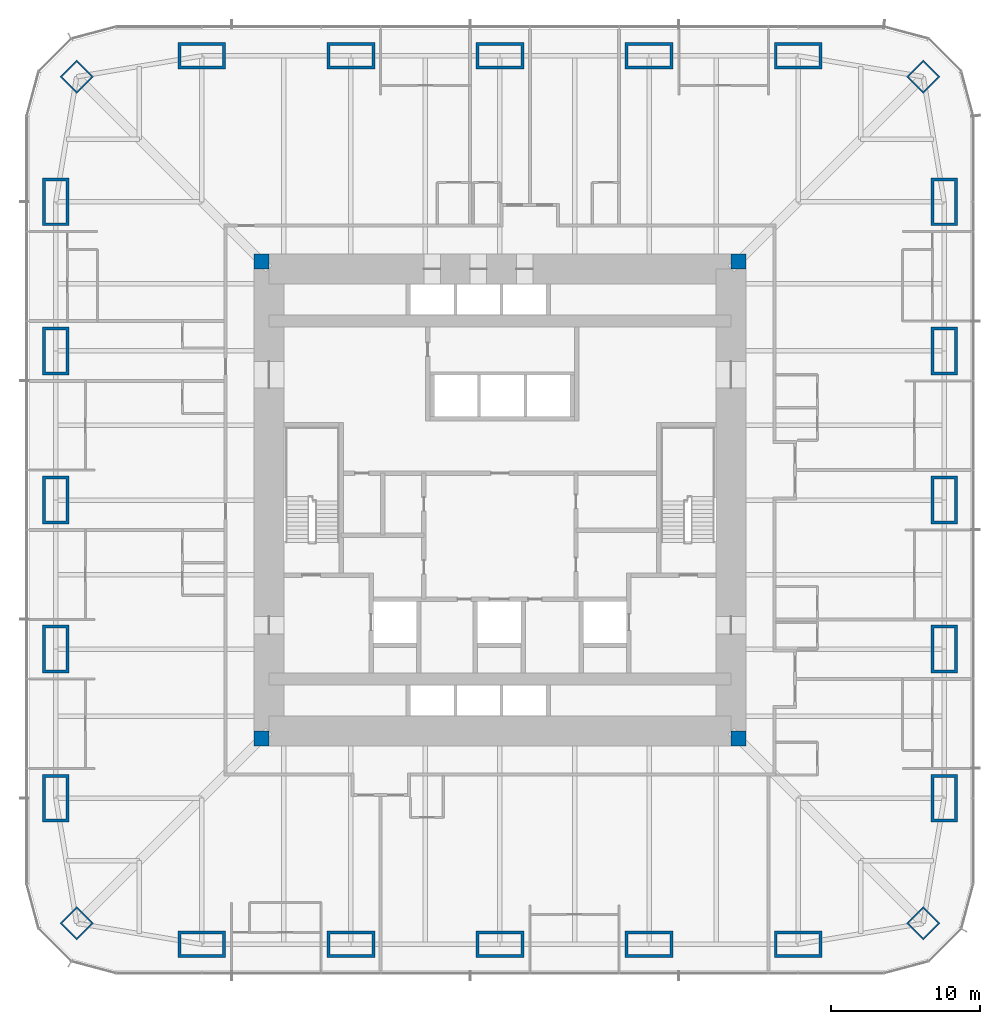
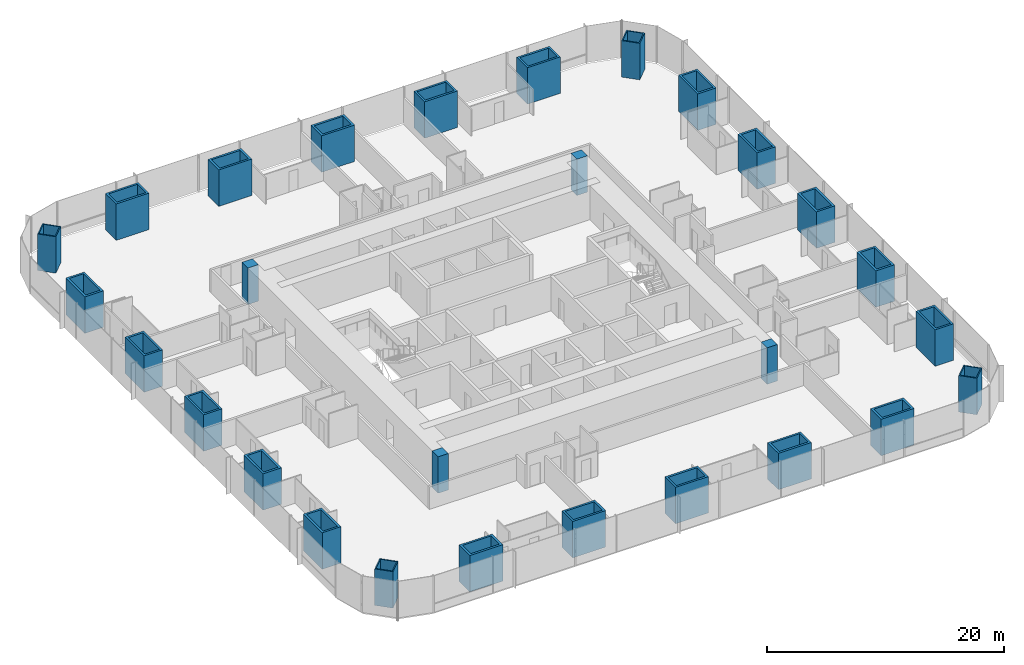
# One storey, part 1 of 17: 28 columns.
"""IFC4 building model written with IfcOpenShell, lengths in metres."""

from ifc_helpers import new_model, si_unit, direction, frame, origin, origin_2d, place, context, subcontext, project, spatial, rectangle, hollow_rectangle, extrude, material, material_profile, profile_set, type_object, element, save


model = new_model("IFC4")

# Units and contexts
model_context = context("Model", 3, precision=1e-05, world=origin(), true_north=direction((0.0, 1.0)))
body_context = subcontext(model_context, "Body", "Model", "MODEL_VIEW")
ifc_project = project(units=[si_unit("LENGTHUNIT", "METRE"), si_unit("AREAUNIT", "SQUARE_METRE"), si_unit("VOLUMEUNIT", "CUBIC_METRE"), si_unit("PLANEANGLEUNIT", "RADIAN"), si_unit("MASSUNIT", "GRAM", prefix="KILO")], contexts=[model_context])

# Site, building, storey
site_placement = place(None, origin())
site = spatial("IfcSite", under=ifc_project, at=site_placement, CompositionType="ELEMENT")
building_placement = place(site_placement, origin())
building = spatial("IfcBuilding", under=site, at=building_placement, Name="Khuree Lantern Residences", CompositionType="ELEMENT")
storey_placement = place(building_placement, frame((0.0, 0.0, 43.5)))
storey = spatial("IfcBuildingStorey", under=building, at=storey_placement, Name="L10", CompositionType="ELEMENT", Elevation=43.5)

# Columns
ifc_material_1 = material(Name="Steel S355 CFT welded box", Category="steel")
ifc_material_profile_1 = material_profile(ifc_material_1, hollow_rectangle(XDim=1.60009765625, YDim=1.60009765625, WallThickness=0.10009765625, at=origin_2d()), Name="WELDED BOX 1600X1600X100")
ifc_profile_set_1 = profile_set([ifc_material_profile_1], Name="Steel S355 CFT welded box")
column_type_1 = type_object("IfcColumnType", Name="CC1600 PERIMETER CORNER MEGA COLUMN WELDED BOX 1600X1600X100", PredefinedType="COLUMN", material=ifc_profile_set_1)
for number, where, z_axis, x_axis, name in (
    (1, (28.39404296875, 28.39404296875, 0.0), (0.0, 0.0, 1.0), (0.707106781187, -0.707106781187, 0.0), "Perimeter column NE"),
    (2, (28.39404296875, -28.39404296875, 0.0), (0.0, 0.0, 1.0), (0.707106781187, 0.707106781187, 0.0), "Perimeter column SE"),
    (3, (-28.39404296875, -28.39404296875, 0.0), (0.0, 0.0, 1.0), (0.707106781187, -0.707106781187, 0.0), "Perimeter column SW"),
    (4, (-28.39404296875, 28.39404296875, 0.0), (0.0, 0.0, 1.0), (0.707106781187, 0.707106781187, 0.0), "Perimeter column NW"),
):
    element("IfcColumn", number, at=place(storey_placement, frame(where, z_axis=z_axis, x_axis=x_axis)), inside=storey, type_object=column_type_1, Name=name, PredefinedType="COLUMN", context=body_context, shape_type="SweptSolid", body=[
        extrude(hollow_rectangle(XDim=1.60009765625, YDim=1.60009765625, WallThickness=0.10009765625, at=origin_2d()), origin(), (0.0, 0.0, 1.0), 3.75),
    ])
ifc_material_2 = material(Name="Concrete C70/85", Category="concrete")
ifc_material_profile_2 = material_profile(ifc_material_2, rectangle(XDim=1.0, YDim=1.0, at=origin_2d()), Name="RC 1000X1000")
ifc_profile_set_2 = profile_set([ifc_material_profile_2], Name="Concrete C70/85")
column_type_2 = type_object("IfcColumnType", Name="CP1000-C70 CORE CORNER PIER C70 RC 1000X1000", PredefinedType="COLUMN", material=ifc_profile_set_2)
for number, where, z_axis, x_axis, name in (
    (5, (16.0, 16.0, -0.25), (0.0, 0.0, 1.0), (1.0, 0.0, 0.0), "Core corner pier NE"),
    (6, (-16.0, 16.0, -0.25), (0.0, 0.0, 1.0), (1.0, 0.0, 0.0), "Core corner pier NW"),
    (7, (-16.0, -16.0, -0.25), (0.0, 0.0, 1.0), (1.0, 0.0, 0.0), "Core corner pier SW"),
    (8, (16.0, -16.0, -0.25), (0.0, 0.0, 1.0), (1.0, 0.0, 0.0), "Core corner pier SE"),
):
    element("IfcColumn", number, at=place(storey_placement, frame(where, z_axis=z_axis, x_axis=x_axis)), inside=storey, type_object=column_type_2, Name=name, PredefinedType="COLUMN", context=body_context, shape_type="SweptSolid", body=[
        extrude(rectangle(XDim=1.0, YDim=1.0, at=origin_2d()), origin(), (0.0, 0.0, 1.0), 3.75),
    ])
ifc_material_profile_3 = material_profile(ifc_material_1, hollow_rectangle(XDim=3.199951171875, YDim=1.800048828125, WallThickness=0.199951171875, at=origin_2d()), Name="WELDED BOX 3200X1800X200")
ifc_profile_set_3 = profile_set([ifc_material_profile_3], Name="Steel S355 CFT welded box")
column_type_3 = type_object("IfcColumnType", Name="SC1 PERIMETER MEGA COLUMN WELDED BOX 3200X1800X200", PredefinedType="COLUMN", material=ifc_profile_set_3)
for number, where, z_axis, x_axis, name in (
    (9, (-20.0, 29.800048828125, 0.0), (0.0, 0.0, 1.0), (1.0, 0.0, 0.0), "Perimeter column N1"),
    (10, (-10.0, 29.800048828125, 0.0), (0.0, 0.0, 1.0), (1.0, 0.0, 0.0), "Perimeter column N2"),
    (11, (0.0, 29.800048828125, 0.0), (0.0, 0.0, 1.0), (1.0, 0.0, 0.0), "Perimeter column N3"),
    (12, (10.0, 29.800048828125, 0.0), (0.0, 0.0, 1.0), (1.0, 0.0, 0.0), "Perimeter column N4"),
    (13, (20.0, 29.800048828125, 0.0), (0.0, 0.0, 1.0), (1.0, 0.0, 0.0), "Perimeter column N5"),
    (14, (29.800048828125, 20.0, 0.0), (0.0, 0.0, 1.0), (0.0, 1.0, 0.0), "Perimeter column E1"),
    (15, (29.800048828125, 10.0, 0.0), (0.0, 0.0, 1.0), (0.0, 1.0, 0.0), "Perimeter column E2"),
    (16, (29.800048828125, 0.0, 0.0), (0.0, 0.0, 1.0), (0.0, 1.0, 0.0), "Perimeter column E3"),
    (17, (29.800048828125, -10.0, 0.0), (0.0, 0.0, 1.0), (0.0, 1.0, 0.0), "Perimeter column E4"),
    (18, (29.800048828125, -20.0, 0.0), (0.0, 0.0, 1.0), (0.0, 1.0, 0.0), "Perimeter column E5"),
    (19, (20.0, -29.800048828125, 0.0), (0.0, 0.0, 1.0), (1.0, 0.0, 0.0), "Perimeter column S1"),
    (20, (10.0, -29.800048828125, 0.0), (0.0, 0.0, 1.0), (1.0, 0.0, 0.0), "Perimeter column S2"),
    (21, (0.0, -29.800048828125, 0.0), (0.0, 0.0, 1.0), (1.0, 0.0, 0.0), "Perimeter column S3"),
    (22, (-10.0, -29.800048828125, 0.0), (0.0, 0.0, 1.0), (1.0, 0.0, 0.0), "Perimeter column S4"),
    (23, (-20.0, -29.800048828125, 0.0), (0.0, 0.0, 1.0), (1.0, 0.0, 0.0), "Perimeter column S5"),
    (24, (-29.800048828125, -20.0, 0.0), (0.0, 0.0, 1.0), (0.0, 1.0, 0.0), "Perimeter column W1"),
    (25, (-29.800048828125, -10.0, 0.0), (0.0, 0.0, 1.0), (0.0, 1.0, 0.0), "Perimeter column W2"),
    (26, (-29.800048828125, 0.0, 0.0), (0.0, 0.0, 1.0), (0.0, 1.0, 0.0), "Perimeter column W3"),
    (27, (-29.800048828125, 10.0, 0.0), (0.0, 0.0, 1.0), (0.0, 1.0, 0.0), "Perimeter column W4"),
    (28, (-29.800048828125, 20.0, 0.0), (0.0, 0.0, 1.0), (0.0, 1.0, 0.0), "Perimeter column W5"),
):
    element("IfcColumn", number, at=place(storey_placement, frame(where, z_axis=z_axis, x_axis=x_axis)), inside=storey, type_object=column_type_3, Name=name, PredefinedType="COLUMN", context=body_context, shape_type="SweptSolid", body=[
        extrude(hollow_rectangle(XDim=3.199951171875, YDim=1.800048828125, WallThickness=0.199951171875, at=origin_2d()), origin(), (0.0, 0.0, 1.0), 3.75),
    ])

save(model, "model.ifc")
